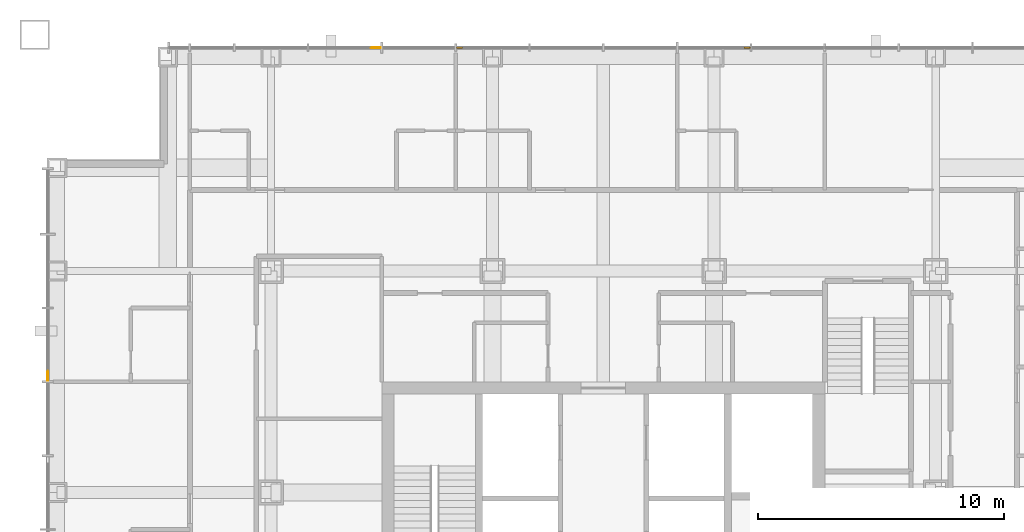
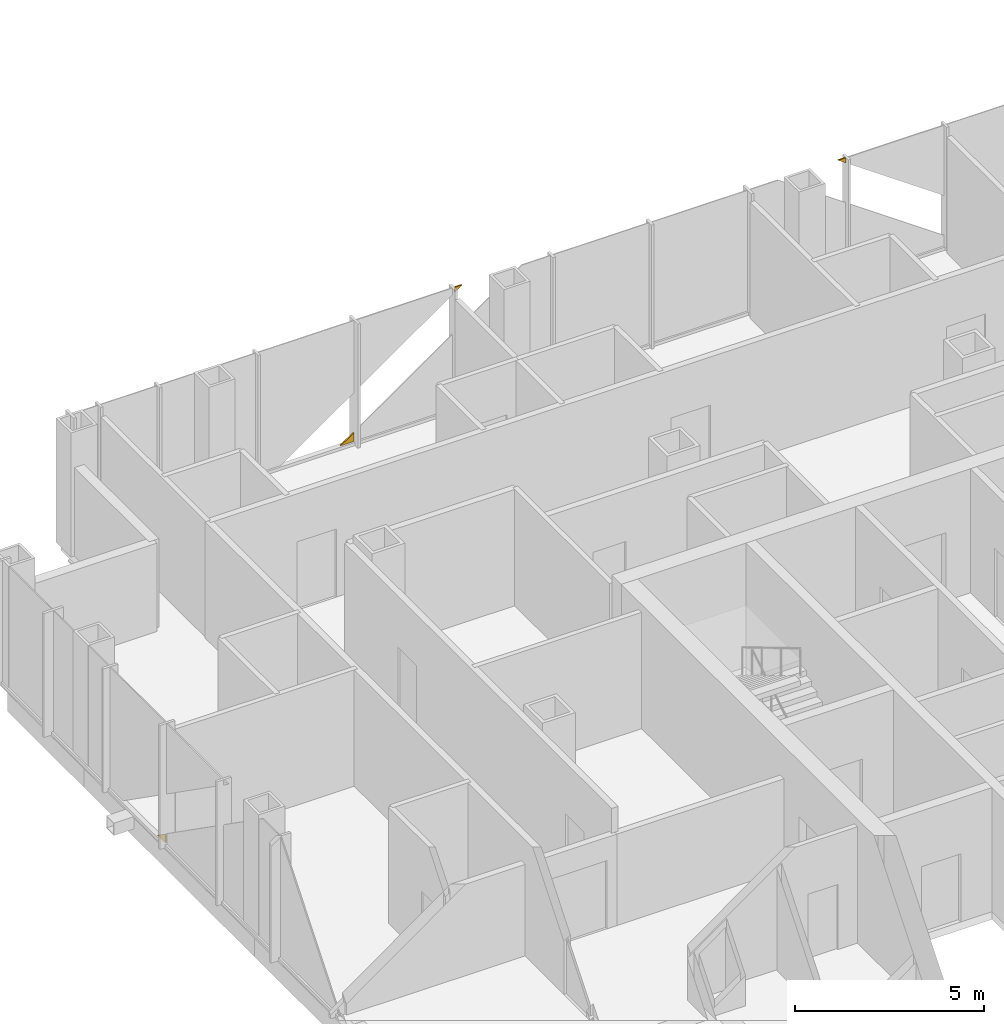
# One storey, part 16 of 17: 4 coverings.
"""IFC4 building model written with IfcOpenShell, lengths in metres."""

from ifc_helpers import new_model, si_unit, direction, frame, origin, place, context, subcontext, project, spatial, polyline, outline, extrude, material, layer, layer_set, type_object, element, save


model = new_model("IFC4")

# Units and contexts
model_context = context("Model", 3, precision=1e-05, world=origin(), true_north=direction((0.0, 1.0)))
body_context = subcontext(model_context, "Body", "Model", "MODEL_VIEW")
ifc_project = project(units=[si_unit("LENGTHUNIT", "METRE"), si_unit("AREAUNIT", "SQUARE_METRE"), si_unit("VOLUMEUNIT", "CUBIC_METRE"), si_unit("PLANEANGLEUNIT", "RADIAN"), si_unit("MASSUNIT", "GRAM", prefix="KILO")], contexts=[model_context])

# Site, building, storey
site_placement = place(None, origin())
site = spatial("IfcSite", under=ifc_project, at=site_placement, CompositionType="ELEMENT")
building_placement = place(site_placement, origin())
building = spatial("IfcBuilding", under=site, at=building_placement, Name="Malebo Sky Hospital", CompositionType="ELEMENT")
storey_placement = place(building_placement, frame((0.0, 0.0, 185.0)))
storey = spatial("IfcBuildingStorey", under=building, at=storey_placement, Name="L44", CompositionType="ELEMENT", Elevation=185.0)

# Coverings
ifc_material = material(Name="Anodised aluminium, natural silver insulated infill panel", Category="aluminium")
ifc_layer = layer(ifc_material, 0.0400390625)
ifc_layer_set = layer_set([ifc_layer], Name="BRACE INFILL PANEL 40")
covering_type = type_object("IfcCoveringType", Name="BRACE INFILL PANEL 40", PredefinedType="CLADDING", material=ifc_layer_set)
covering_1_placement = place(storey_placement, frame((50.759521484375, 84.574951171875, 0.10009765625), z_axis=(0.0, 0.0, 1.0), x_axis=(1.0, 0.0, 0.0)))
element("IfcCovering", 1, at=covering_1_placement, inside=storey, type_object=covering_type, Name="Brace infill panel 4.1", PredefinedType="CLADDING", context=body_context, shape_type="SweptSolid", body=[
    extrude(outline(polyline([(-0.202880859375, 0.0), (0.202880859375, 0.0), (0.202880859375, 0.284912109375), (-0.202880859375, 0.0)])), frame((0.0, 0.02001953125, 0.0), z_axis=(0.0, -1.0, 0.0), x_axis=(1.0, 0.0, 0.0)), (0.0, 0.0, 1.0), 0.0400390625),
])
covering_2_placement = place(storey_placement, frame((54.152099609375, 84.574951171875, 3.8291015625), z_axis=(0.0, 0.0, 1.0), x_axis=(1.0, 0.0, 0.0)))
element("IfcCovering", 2, at=covering_2_placement, inside=storey, type_object=covering_type, Name="Brace infill panel 6.1", PredefinedType="CLADDING", context=body_context, shape_type="SweptSolid", body=[
    extrude(outline(polyline([(-0.114501953125, 0.0), (0.114501953125, 0.160888671875), (-0.114501953125, 0.160888671875), (-0.114501953125, 0.0)])), frame((0.0, 0.02001953125, 0.0), z_axis=(0.0, -1.0, 0.0), x_axis=(1.0, 0.0, 0.0)), (0.0, 0.0, 1.0), 0.0400390625),
])
covering_3_placement = place(storey_placement, frame((65.847900390625, 84.574951171875, 3.8291015625), z_axis=(0.0, 0.0, 1.0), x_axis=(1.0, 0.0, 0.0)))
element("IfcCovering", 3, at=covering_3_placement, inside=storey, type_object=covering_type, Name="Brace infill panel 9.1", PredefinedType="CLADDING", context=body_context, shape_type="SweptSolid", body=[
    extrude(outline(polyline([(0.114501953125, 0.0), (0.114501953125, 0.160888671875), (-0.114501953125, 0.160888671875), (0.114501953125, 0.0)])), frame((0.0, 0.02001953125, 0.0), z_axis=(0.0, -1.0, 0.0), x_axis=(1.0, 0.0, 0.0)), (0.0, 0.0, 1.0), 0.0400390625),
])
covering_4_placement = place(storey_placement, frame((37.425048828125, 71.240478515625, 0.10009765625), z_axis=(0.0, 0.0, 1.0), x_axis=(0.0, 1.0, 0.0)))
element("IfcCovering", 4, at=covering_4_placement, inside=storey, type_object=covering_type, Name="Brace infill panel 11.1", PredefinedType="CLADDING", context=body_context, shape_type="SweptSolid", body=[
    extrude(outline(polyline([(-0.202880859375, 0.0), (0.202880859375, 0.0), (-0.202880859375, 0.284912109375), (-0.202880859375, 0.0)])), frame((0.0, 0.02001953125, 0.0), z_axis=(0.0, -1.0, 0.0), x_axis=(1.0, 0.0, 0.0)), (0.0, 0.0, 1.0), 0.0400390625),
])

save(model, "model.ifc")
